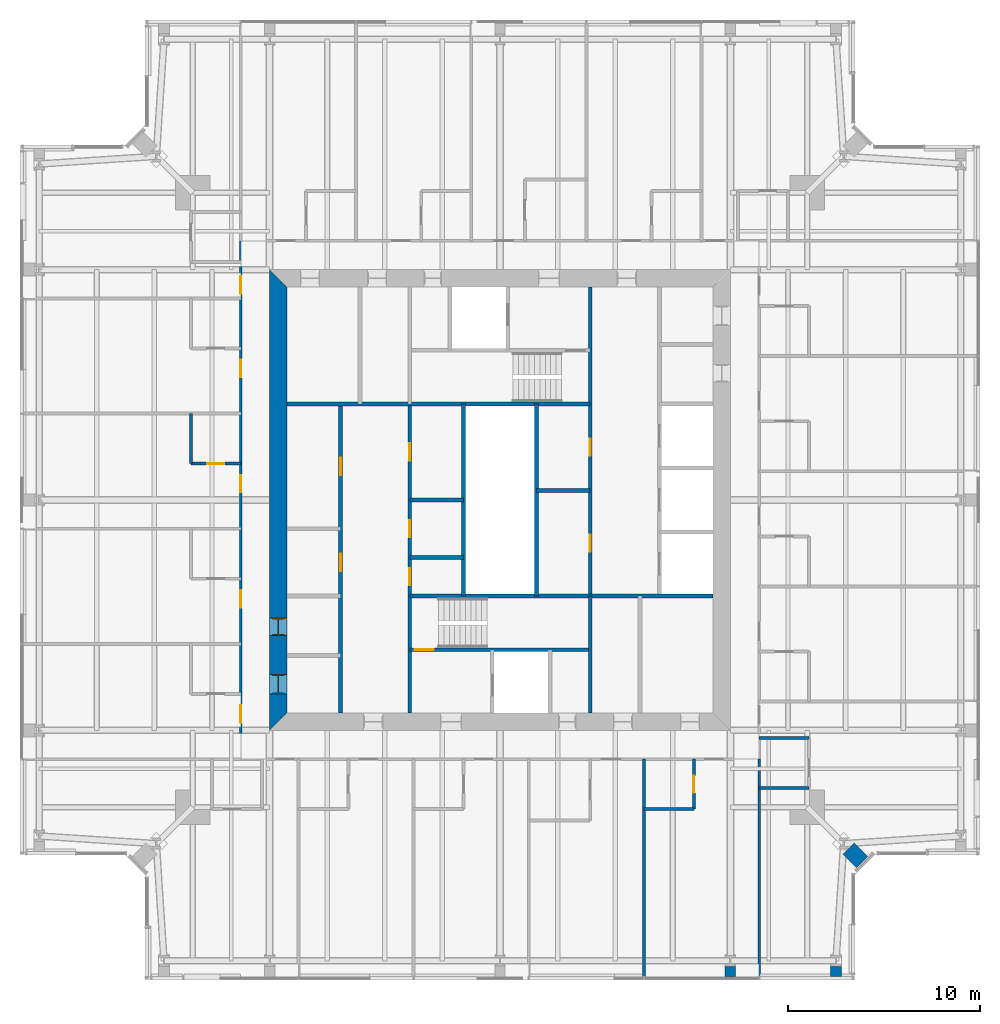
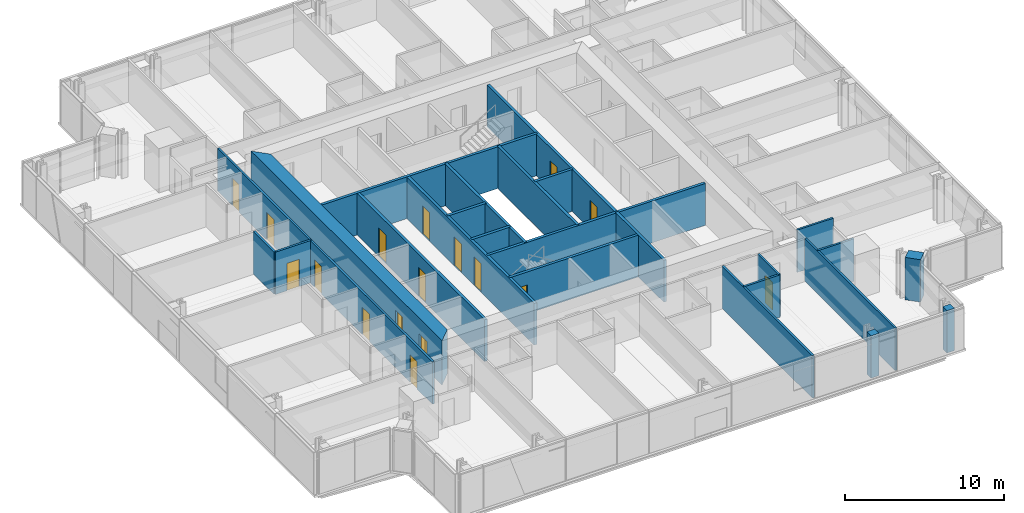
# One storey, part 12 of 20: 25 walls, 17 doors, 17 openings.
"""IFC4 building model written with IfcOpenShell, lengths in metres."""

from ifc_helpers import new_model, si_unit, direction, frame, frame_2d, origin, place, context, subcontext, project, spatial, polyline, rectangle, outline, extrude, material, layer, layer_set, type_object, element, fill, save


model = new_model("IFC4")

# Units and contexts
model_context = context("Model", 3, precision=1e-05, world=origin(), true_north=direction((0.0, 1.0)))
body_context = subcontext(model_context, "Body", "Model", "MODEL_VIEW")
ifc_project = project(units=[si_unit("LENGTHUNIT", "METRE"), si_unit("AREAUNIT", "SQUARE_METRE"), si_unit("VOLUMEUNIT", "CUBIC_METRE"), si_unit("PLANEANGLEUNIT", "RADIAN"), si_unit("MASSUNIT", "GRAM", prefix="KILO")], contexts=[model_context])

# Site, building, storey
site_placement = place(None, origin())
site = spatial("IfcSite", under=ifc_project, at=site_placement, CompositionType="ELEMENT")
building_placement = place(site_placement, origin())
building = spatial("IfcBuilding", under=site, at=building_placement, Name="Fenwick Lantern Interchange", CompositionType="ELEMENT")
storey_placement = place(building_placement, frame((0.0, 0.0, 249.199951171875)))
storey = spatial("IfcBuildingStorey", under=building, at=storey_placement, Name="L58", CompositionType="ELEMENT", Elevation=249.199951171875)

# Walls
ifc_material_1 = material(Name="Fire-rated gypsum board encasement on steel studs, 2 hour", Category="steel")
ifc_layer_1 = layer(ifc_material_1, 0.554931640625)
ifc_layer_set_1 = layer_set([ifc_layer_1], Name="COLUMN PIER 555")
wall_type_1 = type_object("IfcWallType", Name="COLUMN PIER 555", PredefinedType="PARTITIONING", material=ifc_layer_set_1)
for number, where, z_axis, x_axis, name in (
    (1, (37.0, 0.18994140625, 0.0), (0.0, 0.0, 1.0), (0.0, 1.0, 0.0), "L58/W/PIER/CS4"),
    (2, (42.5, 0.18994140625, 0.0), (0.0, 0.0, 1.0), (0.0, 1.0, 0.0), "L58/W/PIER/CS5"),
):
    element("IfcWall", number, at=place(storey_placement, frame(where, z_axis=z_axis, x_axis=x_axis)), inside=storey, type_object=wall_type_1, Name=name, PredefinedType="PARTITIONING", context=body_context, shape_type="SweptSolid", body=[
        extrude(rectangle(XDim=0.525634765625, YDim=0.554931640625, at=frame_2d((0.2626953125, 0.0))), origin(), (0.0, 0.0, 1.0), 3.25),
    ])
ifc_layer_2 = layer(ifc_material_1, 0.823974609375)
ifc_layer_set_2 = layer_set([ifc_layer_2], Name="COLUMN PIER 824")
wall_type_2 = type_object("IfcWallType", Name="COLUMN PIER 824", PredefinedType="PARTITIONING", material=ifc_layer_set_2)
wall_1_placement = place(storey_placement, frame((43.86572265625, 6.13427734375, 0.0), z_axis=(0.0, 0.0, 1.0), x_axis=(-0.707106781187, 0.707106781187, 0.0)))
element("IfcWall", 3, at=wall_1_placement, inside=storey, type_object=wall_type_2, Name="L58/W/PIER/CSR", PredefinedType="PARTITIONING", context=body_context, shape_type="SweptSolid", body=[
    extrude(rectangle(XDim=1.003662109375, YDim=0.823974609375, at=frame_2d((0.501953125, 0.0))), origin(), (0.0, 0.0, 1.0), 3.25),
])

# Wall, openings, doors
ifc_material_2 = material(Name="Concrete masonry ASTM C90 Grade N", Category="masonry")
ifc_layer_3 = layer(ifc_material_2, 0.199951171875)
ifc_layer_set_3 = layer_set([ifc_layer_3], Name="Concrete masonry ASTM C90 Grade N")
wall_type_3 = type_object("IfcWallType", Name="CORE PARTITION 200", PredefinedType="PARTITIONING", material=ifc_layer_set_3)
wall_2_placement = place(storey_placement, frame((16.699951171875, 13.89990234375, 0.0), z_axis=(0.0, 0.0, 1.0), x_axis=(0.0, 1.0, 0.0)))
wall_2 = element("IfcWall", 4, at=wall_2_placement, inside=storey, type_object=wall_type_3, Name="L58/W/CORES/a", PredefinedType="PARTITIONING", context=body_context, shape_type="SweptSolid", body=[
    extrude(rectangle(XDim=16.10009765625, YDim=0.199951171875, at=frame_2d((8.050048828125, 0.0))), origin(), (0.0, 0.0, 1.0), 3.199951171875),
])
opening_1_placement = place(wall_2_placement, frame((7.39990234375, 0.0, 0.0)))
opening_1 = element("IfcOpeningElement", 5, at=opening_1_placement, cuts=wall_2, Name="Opening L58-D009", PredefinedType="OPENING", context=body_context, shape_type="SweptSolid", body=[
    extrude(rectangle(XDim=0.89990234375, YDim=2.199951171875, at=frame_2d((0.449951171875, 1.10009765625))), frame((0.0, 0.10986328125, 0.0), z_axis=(0.0, -1.0, 0.0), x_axis=(1.0, 0.0, 0.0)), (0.0, 0.0, 1.0), 0.219970703125),
])
opening_2_placement = place(wall_2_placement, frame((12.39990234375, 0.0, 0.0)))
opening_2 = element("IfcOpeningElement", 6, at=opening_2_placement, cuts=wall_2, Name="Opening L58-D010", PredefinedType="OPENING", context=body_context, shape_type="SweptSolid", body=[
    extrude(rectangle(XDim=0.89990234375, YDim=2.199951171875, at=frame_2d((0.449951171875, 1.10009765625))), frame((0.0, 0.10986328125, 0.0), z_axis=(0.0, -1.0, 0.0), x_axis=(1.0, 0.0, 0.0)), (0.0, 0.0, 1.0), 0.219970703125),
])
ifc_material_3 = material(Name="Steel door and frame", Category="steel")
door_type_1 = type_object("IfcDoorType", Name="SERVICE DOOR 900 X 2200", OperationType="SINGLE_SWING_LEFT", PredefinedType="DOOR", material=ifc_material_3)
door_1_placement = place(opening_1_placement, origin())
door_1 = element("IfcDoor", 7, at=door_1_placement, inside=storey, type_object=door_type_1, Name="Service door", OperationType="SINGLE_SWING_LEFT", OverallHeight=2.199951171875, OverallWidth=0.89990234375, PredefinedType="DOOR", context=body_context, shape_type="SweptSolid", body=[
    extrude(rectangle(XDim=0.89990234375, YDim=2.199951171875, at=frame_2d((0.449951171875, 1.10009765625))), frame((0.0, 0.02490234375, 0.0), z_axis=(0.0, -1.0, 0.0), x_axis=(1.0, 0.0, 0.0)), (0.0, 0.0, 1.0), 0.050048828125),
])
fill(opening_1, door_1)
door_2_placement = place(opening_2_placement, origin())
door_2 = element("IfcDoor", 8, at=door_2_placement, inside=storey, type_object=door_type_1, Name="Service door", OperationType="SINGLE_SWING_LEFT", OverallHeight=2.199951171875, OverallWidth=0.89990234375, PredefinedType="DOOR", context=body_context, shape_type="SweptSolid", body=[
    extrude(rectangle(XDim=0.89990234375, YDim=2.199951171875, at=frame_2d((0.449951171875, 1.10009765625))), frame((0.0, 0.02490234375, 0.0), z_axis=(0.0, -1.0, 0.0), x_axis=(1.0, 0.0, 0.0)), (0.0, 0.0, 1.0), 0.050048828125),
])
fill(opening_2, door_2)

# Walls
wall_3_placement = place(storey_placement, frame((23.10009765625, 20.0, 0.0), z_axis=(0.0, 0.0, 1.0), x_axis=(0.0, 1.0, 0.0)))
element("IfcWall", 9, at=wall_3_placement, inside=storey, type_object=wall_type_3, Name="L58/W/CORES/e3", PredefinedType="PARTITIONING", context=body_context, shape_type="SweptSolid", body=[
    extrude(rectangle(XDim=10.0, YDim=0.199951171875, at=frame_2d((5.0, 0.0))), origin(), (0.0, 0.0, 1.0), 3.199951171875),
])
for number, where, z_axis, x_axis, name in (
    (10, (20.300048828125, 22.0, 0.0), (0.0, 0.0, 1.0), (1.0, 0.0, 0.0), "L58/W/CORES/q1"),
    (11, (20.300048828125, 25.0, 0.0), (0.0, 0.0, 1.0), (1.0, 0.0, 0.0), "L58/W/CORES/q2"),
):
    element("IfcWall", number, at=place(storey_placement, frame(where, z_axis=z_axis, x_axis=x_axis)), inside=storey, type_object=wall_type_3, Name=name, PredefinedType="PARTITIONING", context=body_context, shape_type="SweptSolid", body=[
        extrude(rectangle(XDim=2.800048828125, YDim=0.199951171875, at=frame_2d((1.39990234375, 0.0))), origin(), (0.0, 0.0, 1.0), 3.199951171875),
    ])
wall_4_placement = place(storey_placement, frame((26.89990234375, 30.0, 0.0), z_axis=(0.0, 0.0, 1.0), x_axis=(0.0, -1.0, 0.0)))
element("IfcWall", 12, at=wall_4_placement, inside=storey, type_object=wall_type_3, Name="L58/W/COREN/e3", PredefinedType="PARTITIONING", context=body_context, shape_type="SweptSolid", body=[
    extrude(rectangle(XDim=10.0, YDim=0.199951171875, at=frame_2d((5.0, 0.0))), origin(), (0.0, 0.0, 1.0), 3.199951171875),
])
wall_5_placement = place(storey_placement, frame((29.699951171875, 25.5, 0.0), z_axis=(0.0, 0.0, 1.0), x_axis=(-1.0, 0.0, 0.0)))
element("IfcWall", 13, at=wall_5_placement, inside=storey, type_object=wall_type_3, Name="L58/W/COREN/q1", PredefinedType="PARTITIONING", context=body_context, shape_type="SweptSolid", body=[
    extrude(rectangle(XDim=2.800048828125, YDim=0.199951171875, at=frame_2d((1.39990234375, 0.0))), origin(), (0.0, 0.0, 1.0), 3.199951171875),
])

# Wall, openings, doors
ifc_material_4 = material(Name="Concrete f'c 70 MPa", Category="concrete")
ifc_layer_4 = layer(ifc_material_4, 0.89990234375)
ifc_layer_set_4 = layer_set([ifc_layer_4], Name="CORE WALL 900")
wall_type_4 = type_object("IfcWallType", Name="CORE WALL 900", PredefinedType="SHEAR", material=ifc_layer_set_4)
wall_6_placement = place(storey_placement, frame((13.449951171875, 36.10009765625, 0.0), z_axis=(0.0, 0.0, 1.0), x_axis=(0.0, -1.0, 0.0)))
wall_6 = element("IfcWall", 14, at=wall_6_placement, inside=storey, type_object=wall_type_4, Name="L58/CORE/W", PredefinedType="SHEAR", context=body_context, shape_type="SweptSolid", body=[
    extrude(outline(polyline([(-0.89990234375, -0.449951171875), (23.10009765625, -0.449951171875), (22.199951171875, 0.449951171875), (0.0, 0.449951171875), (-0.89990234375, -0.449951171875)])), origin(), (0.0, 0.0, 1.0), 3.400146484375),
])
opening_3_placement = place(wall_6_placement, frame((20.199951171875, 0.0, 0.0)))
opening_3 = element("IfcOpeningElement", 15, at=opening_3_placement, cuts=wall_6, Name="Opening L58-D007", PredefinedType="OPENING", context=body_context, shape_type="SweptSolid", body=[
    extrude(rectangle(XDim=1.0, YDim=2.199951171875, at=frame_2d((0.5, 1.10009765625))), frame((0.0, 0.4599609375, 0.0), z_axis=(0.0, -1.0, 0.0), x_axis=(1.0, 0.0, 0.0)), (0.0, 0.0, 1.0), 0.919921875),
])
opening_4_placement = place(wall_6_placement, frame((17.25, 0.0, 0.0)))
opening_4 = element("IfcOpeningElement", 16, at=opening_4_placement, cuts=wall_6, Name="Opening L58-D008", PredefinedType="OPENING", context=body_context, shape_type="SweptSolid", body=[
    extrude(rectangle(XDim=0.89990234375, YDim=2.199951171875, at=frame_2d((0.449951171875, 1.10009765625))), frame((0.0, 0.4599609375, 0.0), z_axis=(0.0, -1.0, 0.0), x_axis=(1.0, 0.0, 0.0)), (0.0, 0.0, 1.0), 0.919921875),
])
door_3_placement = place(opening_4_placement, origin())
door_3 = element("IfcDoor", 17, at=door_3_placement, inside=storey, type_object=door_type_1, Name="Service door", OperationType="SINGLE_SWING_RIGHT", OverallHeight=2.199951171875, OverallWidth=0.89990234375, PredefinedType="DOOR", context=body_context, shape_type="SweptSolid", body=[
    extrude(rectangle(XDim=0.89990234375, YDim=2.199951171875, at=frame_2d((0.449951171875, 1.10009765625))), frame((0.0, 0.02490234375, 0.0), z_axis=(0.0, -1.0, 0.0), x_axis=(1.0, 0.0, 0.0)), (0.0, 0.0, 1.0), 0.050048828125),
    extrude(outline(polyline([(0.0, 0.0), (0.0400390625, 0.0), (0.0400390625, 2.159912109375), (0.85986328125, 2.159912109375), (0.85986328125, 0.0), (0.89990234375, 0.0), (0.89990234375, 2.199951171875), (0.0, 2.199951171875), (0.0, 0.0)])), frame((0.0, 0.300048828125, 0.0), z_axis=(0.0, -1.0, 0.0), x_axis=(1.0, 0.0, 0.0)), (0.0, 0.0, 1.0), 0.60009765625),
])
fill(opening_4, door_3)
ifc_material_5 = material(Name="Hardwood door and steel frame", Category="steel")
door_type_2 = type_object("IfcDoorType", Name="WC DOOR 1000 X 2200", OperationType="SINGLE_SWING_LEFT", PredefinedType="DOOR", material=ifc_material_5)
door_4_placement = place(opening_3_placement, origin())
door_4 = element("IfcDoor", 18, at=door_4_placement, inside=storey, type_object=door_type_2, Name="Wc door", OperationType="SINGLE_SWING_LEFT", OverallHeight=2.199951171875, OverallWidth=1.0, PredefinedType="DOOR", context=body_context, shape_type="SweptSolid", body=[
    extrude(rectangle(XDim=1.0, YDim=2.199951171875, at=frame_2d((0.5, 1.10009765625))), frame((0.0, 0.02490234375, 0.0), z_axis=(0.0, -1.0, 0.0), x_axis=(1.0, 0.0, 0.0)), (0.0, 0.0, 1.0), 0.050048828125),
    extrude(outline(polyline([(0.0, 0.0), (0.0400390625, 0.0), (0.0400390625, 2.159912109375), (0.9599609375, 2.159912109375), (0.9599609375, 0.0), (1.0, 0.0), (1.0, 2.199951171875), (0.0, 2.199951171875), (0.0, 0.0)])), frame((0.0, 0.300048828125, 0.0), z_axis=(0.0, -1.0, 0.0), x_axis=(1.0, 0.0, 0.0)), (0.0, 0.0, 1.0), 0.60009765625),
])
fill(opening_3, door_4)

ifc_material_6 = material(Name="Gypsum board on steel studs, 1 hour", Category="steel")
ifc_layer_5 = layer(ifc_material_6, 0.14990234375)
ifc_layer_set_5 = layer_set([ifc_layer_5], Name="CORRIDOR WALL 150")
wall_type_5 = type_object("IfcWallType", Name="CORRIDOR WALL 150", PredefinedType="PARTITIONING", material=ifc_layer_set_5)
wall_7_placement = place(storey_placement, frame((11.5, 38.5, 0.0), z_axis=(0.0, 0.0, 1.0), x_axis=(0.0, -1.0, 0.0)))
wall_7 = element("IfcWall", 19, at=wall_7_placement, inside=storey, type_object=wall_type_5, Name="L58/W/HOTEL/W/CW", PredefinedType="PARTITIONING", context=body_context, shape_type="SweptSolid", body=[
    extrude(rectangle(XDim=27.0, YDim=0.14990234375, at=frame_2d((13.5, 0.0))), origin(), (0.0, 0.0, 1.0), 3.25),
])
opening_5_placement = place(wall_7_placement, frame((1.85009765625, 0.0, 0.0)))
opening_5 = element("IfcOpeningElement", 20, at=opening_5_placement, cuts=wall_7, Name="Opening L58-D054", PredefinedType="OPENING", context=body_context, shape_type="SweptSolid", body=[
    extrude(rectangle(XDim=0.89990234375, YDim=2.10009765625, at=frame_2d((0.449951171875, 1.050048828125))), frame((0.0, 0.0849609375, 0.0), z_axis=(0.0, -1.0, 0.0), x_axis=(1.0, 0.0, 0.0)), (0.0, 0.0, 1.0), 0.169921875),
])
opening_6_placement = place(wall_7_placement, frame((6.199951171875, 0.0, 0.0)))
opening_6 = element("IfcOpeningElement", 21, at=opening_6_placement, cuts=wall_7, Name="Opening L58-D057", PredefinedType="OPENING", context=body_context, shape_type="SweptSolid", body=[
    extrude(rectangle(XDim=0.89990234375, YDim=2.10009765625, at=frame_2d((0.449951171875, 1.050048828125))), frame((0.0, 0.0849609375, 0.0), z_axis=(0.0, -1.0, 0.0), x_axis=(1.0, 0.0, 0.0)), (0.0, 0.0, 1.0), 0.169921875),
])
opening_7_placement = place(wall_7_placement, frame((12.199951171875, 0.0, 0.0)))
opening_7 = element("IfcOpeningElement", 22, at=opening_7_placement, cuts=wall_7, Name="Opening L58-D059", PredefinedType="OPENING", context=body_context, shape_type="SweptSolid", body=[
    extrude(rectangle(XDim=0.89990234375, YDim=2.10009765625, at=frame_2d((0.449951171875, 1.050048828125))), frame((0.0, 0.0849609375, 0.0), z_axis=(0.0, -1.0, 0.0), x_axis=(1.0, 0.0, 0.0)), (0.0, 0.0, 1.0), 0.169921875),
])
opening_8_placement = place(wall_7_placement, frame((18.199951171875, 0.0, 0.0)))
opening_8 = element("IfcOpeningElement", 23, at=opening_8_placement, cuts=wall_7, Name="Opening L58-D061", PredefinedType="OPENING", context=body_context, shape_type="SweptSolid", body=[
    extrude(rectangle(XDim=0.89990234375, YDim=2.10009765625, at=frame_2d((0.449951171875, 1.050048828125))), frame((0.0, 0.0849609375, 0.0), z_axis=(0.0, -1.0, 0.0), x_axis=(1.0, 0.0, 0.0)), (0.0, 0.0, 1.0), 0.169921875),
])
opening_9_placement = place(wall_7_placement, frame((24.199951171875, 0.0, 0.0)))
opening_9 = element("IfcOpeningElement", 24, at=opening_9_placement, cuts=wall_7, Name="Opening L58-D063", PredefinedType="OPENING", context=body_context, shape_type="SweptSolid", body=[
    extrude(rectangle(XDim=0.89990234375, YDim=2.10009765625, at=frame_2d((0.449951171875, 1.050048828125))), frame((0.0, 0.0849609375, 0.0), z_axis=(0.0, -1.0, 0.0), x_axis=(1.0, 0.0, 0.0)), (0.0, 0.0, 1.0), 0.169921875),
])
door_type_3 = type_object("IfcDoorType", Name="GUEST ROOM DOOR 900 X 2100", OperationType="SINGLE_SWING_LEFT", PredefinedType="DOOR", material=ifc_material_3)
door_5_placement = place(opening_5_placement, frame((0.89990234375, 0.0, 0.0), z_axis=(0.0, 0.0, 1.0), x_axis=(-1.0, 0.0, 0.0)))
door_5 = element("IfcDoor", 25, at=door_5_placement, inside=storey, type_object=door_type_3, Name="Guest room door", OperationType="SINGLE_SWING_LEFT", OverallHeight=2.10009765625, OverallWidth=0.89990234375, PredefinedType="DOOR", context=body_context, shape_type="SweptSolid", body=[
    extrude(rectangle(XDim=0.89990234375, YDim=2.10009765625, at=frame_2d((0.449951171875, 1.050048828125))), frame((0.0, 0.02490234375, 0.0), z_axis=(0.0, -1.0, 0.0), x_axis=(1.0, 0.0, 0.0)), (0.0, 0.0, 1.0), 0.050048828125),
])
fill(opening_5, door_5)
door_6_placement = place(opening_6_placement, frame((0.89990234375, 0.0, 0.0), z_axis=(0.0, 0.0, 1.0), x_axis=(-1.0, 0.0, 0.0)))
door_6 = element("IfcDoor", 26, at=door_6_placement, inside=storey, type_object=door_type_3, Name="Guest room door", OperationType="SINGLE_SWING_RIGHT", OverallHeight=2.10009765625, OverallWidth=0.89990234375, PredefinedType="DOOR", context=body_context, shape_type="SweptSolid", body=[
    extrude(rectangle(XDim=0.89990234375, YDim=2.10009765625, at=frame_2d((0.449951171875, 1.050048828125))), frame((0.0, 0.02490234375, 0.0), z_axis=(0.0, -1.0, 0.0), x_axis=(1.0, 0.0, 0.0)), (0.0, 0.0, 1.0), 0.050048828125),
])
fill(opening_6, door_6)
door_7_placement = place(opening_7_placement, frame((0.89990234375, 0.0, 0.0), z_axis=(0.0, 0.0, 1.0), x_axis=(-1.0, 0.0, 0.0)))
door_7 = element("IfcDoor", 27, at=door_7_placement, inside=storey, type_object=door_type_3, Name="Guest room door", OperationType="SINGLE_SWING_RIGHT", OverallHeight=2.10009765625, OverallWidth=0.89990234375, PredefinedType="DOOR", context=body_context, shape_type="SweptSolid", body=[
    extrude(rectangle(XDim=0.89990234375, YDim=2.10009765625, at=frame_2d((0.449951171875, 1.050048828125))), frame((0.0, 0.02490234375, 0.0), z_axis=(0.0, -1.0, 0.0), x_axis=(1.0, 0.0, 0.0)), (0.0, 0.0, 1.0), 0.050048828125),
])
fill(opening_7, door_7)
door_8_placement = place(opening_8_placement, frame((0.89990234375, 0.0, 0.0), z_axis=(0.0, 0.0, 1.0), x_axis=(-1.0, 0.0, 0.0)))
door_8 = element("IfcDoor", 28, at=door_8_placement, inside=storey, type_object=door_type_3, Name="Guest room door", OperationType="SINGLE_SWING_RIGHT", OverallHeight=2.10009765625, OverallWidth=0.89990234375, PredefinedType="DOOR", context=body_context, shape_type="SweptSolid", body=[
    extrude(rectangle(XDim=0.89990234375, YDim=2.10009765625, at=frame_2d((0.449951171875, 1.050048828125))), frame((0.0, 0.02490234375, 0.0), z_axis=(0.0, -1.0, 0.0), x_axis=(1.0, 0.0, 0.0)), (0.0, 0.0, 1.0), 0.050048828125),
])
fill(opening_8, door_8)
door_9_placement = place(opening_9_placement, frame((0.89990234375, 0.0, 0.0), z_axis=(0.0, 0.0, 1.0), x_axis=(-1.0, 0.0, 0.0)))
door_9 = element("IfcDoor", 29, at=door_9_placement, inside=storey, type_object=door_type_3, Name="Guest room door", OperationType="SINGLE_SWING_RIGHT", OverallHeight=2.10009765625, OverallWidth=0.89990234375, PredefinedType="DOOR", context=body_context, shape_type="SweptSolid", body=[
    extrude(rectangle(XDim=0.89990234375, YDim=2.10009765625, at=frame_2d((0.449951171875, 1.050048828125))), frame((0.0, 0.02490234375, 0.0), z_axis=(0.0, -1.0, 0.0), x_axis=(1.0, 0.0, 0.0)), (0.0, 0.0, 1.0), 0.050048828125),
])
fill(opening_9, door_9)

# Wall
ifc_material_7 = material(Name="Gypsum board on steel studs, moisture resistant", Category="steel")
ifc_layer_6 = layer(ifc_material_7, 0.14990234375)
ifc_layer_set_6 = layer_set([ifc_layer_6], Name="EN-SUITE WALL 150")
wall_type_6 = type_object("IfcWallType", Name="EN-SUITE WALL 150", PredefinedType="PARTITIONING", material=ifc_layer_set_6)
wall_8_placement = place(storey_placement, frame((32.5, 8.89990234375, 0.0), z_axis=(0.0, 0.0, 1.0), x_axis=(1.0, 0.0, 0.0)))
element("IfcWall", 30, at=wall_8_placement, inside=storey, type_object=wall_type_6, Name="L58/W/HOTEL/S/U5BW", PredefinedType="PARTITIONING", context=body_context, shape_type="SweptSolid", body=[
    extrude(rectangle(XDim=2.60009765625, YDim=0.14990234375, at=frame_2d((1.300048828125, 0.0))), origin(), (0.0, 0.0, 1.0), 3.25),
])

# Wall, opening, door
wall_9_placement = place(storey_placement, frame((35.10009765625, 8.89990234375, 0.0), z_axis=(0.0, 0.0, 1.0), x_axis=(0.0, 1.0, 0.0)))
wall_9 = element("IfcWall", 31, at=wall_9_placement, inside=storey, type_object=wall_type_6, Name="L58/W/HOTEL/S/U5BX", PredefinedType="PARTITIONING", context=body_context, shape_type="SweptSolid", body=[
    extrude(rectangle(XDim=2.60009765625, YDim=0.14990234375, at=frame_2d((1.300048828125, 0.0))), origin(), (0.0, 0.0, 1.0), 3.25),
])
opening_10_placement = place(wall_9_placement, frame((0.85009765625, 0.0, 0.0)))
opening_10 = element("IfcOpeningElement", 32, at=opening_10_placement, cuts=wall_9, Name="Opening L58-D032", PredefinedType="OPENING", context=body_context, shape_type="SweptSolid", body=[
    extrude(rectangle(XDim=0.89990234375, YDim=2.10009765625, at=frame_2d((0.449951171875, 1.050048828125))), frame((0.0, 0.0849609375, 0.0), z_axis=(0.0, -1.0, 0.0), x_axis=(1.0, 0.0, 0.0)), (0.0, 0.0, 1.0), 0.169921875),
])
door_type_4 = type_object("IfcDoorType", Name="EN-SUITE DOOR 900 X 2100", OperationType="SINGLE_SWING_LEFT", PredefinedType="DOOR", material=ifc_material_5)
door_10_placement = place(opening_10_placement, origin())
door_10 = element("IfcDoor", 33, at=door_10_placement, inside=storey, type_object=door_type_4, Name="En-suite door", OperationType="SINGLE_SWING_LEFT", OverallHeight=2.10009765625, OverallWidth=0.89990234375, PredefinedType="DOOR", context=body_context, shape_type="SweptSolid", body=[
    extrude(rectangle(XDim=0.89990234375, YDim=2.10009765625, at=frame_2d((0.449951171875, 1.050048828125))), frame((0.0, 0.02490234375, 0.0), z_axis=(0.0, -1.0, 0.0), x_axis=(1.0, 0.0, 0.0)), (0.0, 0.0, 1.0), 0.050048828125),
])
fill(opening_10, door_10)

# Walls
for number, where, z_axis, x_axis, name in (
    (34, (41.10009765625, 10.0, 0.0), (0.0, 0.0, 1.0), (-1.0, 0.0, 0.0), "L58/W/HOTEL/E/U1BX"),
    (35, (41.10009765625, 12.60009765625, 0.0), (0.0, 0.0, 1.0), (-1.0, 0.0, 0.0), "L58/W/HOTEL/E/U1BE"),
    (36, (8.89990234375, 29.5, 0.0), (0.0, 0.0, 1.0), (0.0, -1.0, 0.0), "L58/W/HOTEL/W/U3BW"),
):
    element("IfcWall", number, at=place(storey_placement, frame(where, z_axis=z_axis, x_axis=x_axis)), inside=storey, type_object=wall_type_6, Name=name, PredefinedType="PARTITIONING", context=body_context, shape_type="SweptSolid", body=[
        extrude(rectangle(XDim=2.60009765625, YDim=0.14990234375, at=frame_2d((1.300048828125, 0.0))), origin(), (0.0, 0.0, 1.0), 3.25),
    ])

# Wall, opening, door
wall_10_placement = place(storey_placement, frame((8.89990234375, 26.89990234375, 0.0), z_axis=(0.0, 0.0, 1.0), x_axis=(1.0, 0.0, 0.0)))
wall_10 = element("IfcWall", 37, at=wall_10_placement, inside=storey, type_object=wall_type_6, Name="L58/W/HOTEL/W/U3BX", PredefinedType="PARTITIONING", context=body_context, shape_type="SweptSolid", body=[
    extrude(rectangle(XDim=2.60009765625, YDim=0.14990234375, at=frame_2d((1.300048828125, 0.0))), origin(), (0.0, 0.0, 1.0), 3.25),
])
opening_11_placement = place(wall_10_placement, frame((0.85009765625, 0.0, 0.0)))
opening_11 = element("IfcOpeningElement", 38, at=opening_11_placement, cuts=wall_10, Name="Opening L58-D058", PredefinedType="OPENING", context=body_context, shape_type="SweptSolid", body=[
    extrude(rectangle(XDim=0.89990234375, YDim=2.10009765625, at=frame_2d((0.449951171875, 1.050048828125))), frame((0.0, 0.0849609375, 0.0), z_axis=(0.0, -1.0, 0.0), x_axis=(1.0, 0.0, 0.0)), (0.0, 0.0, 1.0), 0.169921875),
])
door_11_placement = place(opening_11_placement, origin())
door_11 = element("IfcDoor", 39, at=door_11_placement, inside=storey, type_object=door_type_4, Name="En-suite door", OperationType="SINGLE_SWING_LEFT", OverallHeight=2.10009765625, OverallWidth=0.89990234375, PredefinedType="DOOR", context=body_context, shape_type="SweptSolid", body=[
    extrude(rectangle(XDim=0.89990234375, YDim=2.10009765625, at=frame_2d((0.449951171875, 1.050048828125))), frame((0.0, 0.02490234375, 0.0), z_axis=(0.0, -1.0, 0.0), x_axis=(1.0, 0.0, 0.0)), (0.0, 0.0, 1.0), 0.050048828125),
])
fill(opening_11, door_11)

# Walls
ifc_material_8 = material(Name="Gypsum board on steel studs, 1 hour acoustic", Category="steel")
ifc_layer_7 = layer(ifc_material_8, 0.14990234375)
ifc_layer_set_7 = layer_set([ifc_layer_7], Name="PARTY WALL 150")
wall_type_7 = type_object("IfcWallType", Name="PARTY WALL 150", PredefinedType="PARTITIONING", material=ifc_layer_set_7)
for number, where, z_axis, x_axis, name in (
    (40, (32.5, 0.14990234375, 0.0), (0.0, 0.0, 1.0), (0.0, 1.0, 0.0), "L58/W/HOTEL/S/U5PW"),
    (41, (38.5, 0.14990234375, 0.0), (0.0, 0.0, 1.0), (0.0, 1.0, 0.0), "L58/W/HOTEL/E/SW3"),
):
    element("IfcWall", number, at=place(storey_placement, frame(where, z_axis=z_axis, x_axis=x_axis)), inside=storey, type_object=wall_type_7, Name=name, PredefinedType="PARTITIONING", context=body_context, shape_type="SweptSolid", body=[
        extrude(rectangle(XDim=11.35009765625, YDim=0.14990234375, at=frame_2d((5.675048828125, 0.0))), origin(), (0.0, 0.0, 1.0), 3.25),
    ])

# Wall, openings, doors
ifc_material_9 = material(Name="Concrete f'c 45 MPa", Category="concrete")
ifc_layer_8 = layer(ifc_material_9, 0.199951171875)
ifc_layer_set_8 = layer_set([ifc_layer_8], Name="STAIR CORE WALL 200")
wall_type_8 = type_object("IfcWallType", Name="STAIR CORE WALL 200", PredefinedType="SOLIDWALL", material=ifc_layer_set_8)
wall_11_placement = place(storey_placement, frame((20.300048828125, 13.89990234375, 0.0), z_axis=(0.0, 0.0, 1.0), x_axis=(0.0, 1.0, 0.0)))
wall_11 = element("IfcWall", 42, at=wall_11_placement, inside=storey, type_object=wall_type_8, Name="L58/W/CORES/b", PredefinedType="SOLIDWALL", context=body_context, shape_type="SweptSolid", body=[
    extrude(rectangle(XDim=16.10009765625, YDim=0.199951171875, at=frame_2d((8.050048828125, 0.0))), origin(), (0.0, 0.0, 1.0), 3.199951171875),
])
opening_12_placement = place(wall_11_placement, frame((6.64990234375, 0.0, 0.0)))
opening_12 = element("IfcOpeningElement", 43, at=opening_12_placement, cuts=wall_11, Name="Opening L58-D011", PredefinedType="OPENING", context=body_context, shape_type="SweptSolid", body=[
    extrude(rectangle(XDim=0.89990234375, YDim=2.199951171875, at=frame_2d((0.449951171875, 1.10009765625))), frame((0.0, 0.10986328125, 0.0), z_axis=(0.0, -1.0, 0.0), x_axis=(1.0, 0.0, 0.0)), (0.0, 0.0, 1.0), 0.219970703125),
])
opening_13_placement = place(wall_11_placement, frame((9.14990234375, 0.0, 0.0)))
opening_13 = element("IfcOpeningElement", 44, at=opening_13_placement, cuts=wall_11, Name="Opening L58-D012", PredefinedType="OPENING", context=body_context, shape_type="SweptSolid", body=[
    extrude(rectangle(XDim=0.89990234375, YDim=2.199951171875, at=frame_2d((0.449951171875, 1.10009765625))), frame((0.0, 0.10986328125, 0.0), z_axis=(0.0, -1.0, 0.0), x_axis=(1.0, 0.0, 0.0)), (0.0, 0.0, 1.0), 0.219970703125),
])
opening_14_placement = place(wall_11_placement, frame((13.14990234375, 0.0, 0.0)))
opening_14 = element("IfcOpeningElement", 45, at=opening_14_placement, cuts=wall_11, Name="Opening L58-D013", PredefinedType="OPENING", context=body_context, shape_type="SweptSolid", body=[
    extrude(rectangle(XDim=0.89990234375, YDim=2.199951171875, at=frame_2d((0.449951171875, 1.10009765625))), frame((0.0, 0.10986328125, 0.0), z_axis=(0.0, -1.0, 0.0), x_axis=(1.0, 0.0, 0.0)), (0.0, 0.0, 1.0), 0.219970703125),
])
door_12_placement = place(opening_12_placement, frame((0.89990234375, 0.0, 0.0), z_axis=(0.0, 0.0, 1.0), x_axis=(-1.0, 0.0, 0.0)))
door_12 = element("IfcDoor", 46, at=door_12_placement, inside=storey, type_object=door_type_1, Name="Service door", OperationType="SINGLE_SWING_RIGHT", OverallHeight=2.199951171875, OverallWidth=0.89990234375, PredefinedType="DOOR", context=body_context, shape_type="SweptSolid", body=[
    extrude(rectangle(XDim=0.89990234375, YDim=2.199951171875, at=frame_2d((0.449951171875, 1.10009765625))), frame((0.0, 0.02490234375, 0.0), z_axis=(0.0, -1.0, 0.0), x_axis=(1.0, 0.0, 0.0)), (0.0, 0.0, 1.0), 0.050048828125),
])
fill(opening_12, door_12)
door_13_placement = place(opening_13_placement, frame((0.89990234375, 0.0, 0.0), z_axis=(0.0, 0.0, 1.0), x_axis=(-1.0, 0.0, 0.0)))
door_13 = element("IfcDoor", 47, at=door_13_placement, inside=storey, type_object=door_type_1, Name="Service door", OperationType="SINGLE_SWING_RIGHT", OverallHeight=2.199951171875, OverallWidth=0.89990234375, PredefinedType="DOOR", context=body_context, shape_type="SweptSolid", body=[
    extrude(rectangle(XDim=0.89990234375, YDim=2.199951171875, at=frame_2d((0.449951171875, 1.10009765625))), frame((0.0, 0.02490234375, 0.0), z_axis=(0.0, -1.0, 0.0), x_axis=(1.0, 0.0, 0.0)), (0.0, 0.0, 1.0), 0.050048828125),
])
fill(opening_13, door_13)
door_14_placement = place(opening_14_placement, frame((0.89990234375, 0.0, 0.0), z_axis=(0.0, 0.0, 1.0), x_axis=(-1.0, 0.0, 0.0)))
door_14 = element("IfcDoor", 48, at=door_14_placement, inside=storey, type_object=door_type_1, Name="Service door", OperationType="SINGLE_SWING_RIGHT", OverallHeight=2.199951171875, OverallWidth=0.89990234375, PredefinedType="DOOR", context=body_context, shape_type="SweptSolid", body=[
    extrude(rectangle(XDim=0.89990234375, YDim=2.199951171875, at=frame_2d((0.449951171875, 1.10009765625))), frame((0.0, 0.02490234375, 0.0), z_axis=(0.0, -1.0, 0.0), x_axis=(1.0, 0.0, 0.0)), (0.0, 0.0, 1.0), 0.050048828125),
])
fill(opening_14, door_14)

# Wall, opening, door
wall_12_placement = place(storey_placement, frame((20.300048828125, 17.199951171875, 0.0), z_axis=(0.0, 0.0, 1.0), x_axis=(1.0, 0.0, 0.0)))
wall_12 = element("IfcWall", 49, at=wall_12_placement, inside=storey, type_object=wall_type_8, Name="L58/W/CORES/g1", PredefinedType="SOLIDWALL", context=body_context, shape_type="SweptSolid", body=[
    extrude(rectangle(XDim=9.39990234375, YDim=0.199951171875, at=frame_2d((4.699951171875, 0.0))), origin(), (0.0, 0.0, 1.0), 3.199951171875),
])
opening_15_placement = place(wall_12_placement, frame((0.25, 0.0, 0.0)))
opening_15 = element("IfcOpeningElement", 50, at=opening_15_placement, cuts=wall_12, Name="Opening L58-D003", PredefinedType="OPENING", context=body_context, shape_type="SweptSolid", body=[
    extrude(rectangle(XDim=1.0, YDim=2.199951171875, at=frame_2d((0.5, 1.10009765625))), frame((0.0, 0.10986328125, 0.0), z_axis=(0.0, -1.0, 0.0), x_axis=(1.0, 0.0, 0.0)), (0.0, 0.0, 1.0), 0.219970703125),
])
door_type_5 = type_object("IfcDoorType", Name="STAIR DOOR 1000 X 2200", OperationType="SINGLE_SWING_LEFT", PredefinedType="DOOR", material=ifc_material_3)
door_15_placement = place(opening_15_placement, origin())
door_15 = element("IfcDoor", 51, at=door_15_placement, inside=storey, type_object=door_type_5, Name="Stair door", OperationType="SINGLE_SWING_LEFT", OverallHeight=2.199951171875, OverallWidth=1.0, PredefinedType="DOOR", context=body_context, shape_type="SweptSolid", body=[
    extrude(rectangle(XDim=1.0, YDim=2.199951171875, at=frame_2d((0.5, 1.10009765625))), frame((0.0, 0.02490234375, 0.0), z_axis=(0.0, -1.0, 0.0), x_axis=(1.0, 0.0, 0.0)), (0.0, 0.0, 1.0), 0.050048828125),
])
fill(opening_15, door_15)

# Walls
wall_13_placement = place(storey_placement, frame((20.300048828125, 20.0, 0.0), z_axis=(0.0, 0.0, 1.0), x_axis=(1.0, 0.0, 0.0)))
element("IfcWall", 52, at=wall_13_placement, inside=storey, type_object=wall_type_8, Name="L58/W/CORES/g2", PredefinedType="SOLIDWALL", context=body_context, shape_type="SweptSolid", body=[
    extrude(rectangle(XDim=15.800048828125, YDim=0.199951171875, at=frame_2d((7.89990234375, 0.0))), origin(), (0.0, 0.0, 1.0), 3.199951171875),
])
wall_14_placement = place(storey_placement, frame((29.699951171875, 13.89990234375, 0.0), z_axis=(0.0, 0.0, 1.0), x_axis=(0.0, 1.0, 0.0)))
element("IfcWall", 53, at=wall_14_placement, inside=storey, type_object=wall_type_8, Name="L58/W/CORES/i1", PredefinedType="SOLIDWALL", context=body_context, shape_type="SweptSolid", body=[
    extrude(rectangle(XDim=6.10009765625, YDim=0.199951171875, at=frame_2d((3.050048828125, 0.0))), origin(), (0.0, 0.0, 1.0), 3.199951171875),
])

# Wall, openings, doors
wall_15_placement = place(storey_placement, frame((29.699951171875, 36.10009765625, 0.0), z_axis=(0.0, 0.0, 1.0), x_axis=(0.0, -1.0, 0.0)))
wall_15 = element("IfcWall", 54, at=wall_15_placement, inside=storey, type_object=wall_type_8, Name="L58/W/COREN/b", PredefinedType="SOLIDWALL", context=body_context, shape_type="SweptSolid", body=[
    extrude(rectangle(XDim=16.10009765625, YDim=0.199951171875, at=frame_2d((8.050048828125, 0.0))), origin(), (0.0, 0.0, 1.0), 3.199951171875),
])
opening_16_placement = place(wall_15_placement, frame((7.89990234375, 0.0, 0.0)))
opening_16 = element("IfcOpeningElement", 55, at=opening_16_placement, cuts=wall_15, Name="Opening L58-D022", PredefinedType="OPENING", context=body_context, shape_type="SweptSolid", body=[
    extrude(rectangle(XDim=0.89990234375, YDim=2.199951171875, at=frame_2d((0.449951171875, 1.10009765625))), frame((0.0, 0.10986328125, 0.0), z_axis=(0.0, -1.0, 0.0), x_axis=(1.0, 0.0, 0.0)), (0.0, 0.0, 1.0), 0.219970703125),
])
opening_17_placement = place(wall_15_placement, frame((12.89990234375, 0.0, 0.0)))
opening_17 = element("IfcOpeningElement", 56, at=opening_17_placement, cuts=wall_15, Name="Opening L58-D023", PredefinedType="OPENING", context=body_context, shape_type="SweptSolid", body=[
    extrude(rectangle(XDim=0.89990234375, YDim=2.199951171875, at=frame_2d((0.449951171875, 1.10009765625))), frame((0.0, 0.10986328125, 0.0), z_axis=(0.0, -1.0, 0.0), x_axis=(1.0, 0.0, 0.0)), (0.0, 0.0, 1.0), 0.219970703125),
])
door_16_placement = place(opening_16_placement, frame((0.89990234375, 0.0, 0.0), z_axis=(0.0, 0.0, 1.0), x_axis=(-1.0, 0.0, 0.0)))
door_16 = element("IfcDoor", 57, at=door_16_placement, inside=storey, type_object=door_type_1, Name="Service door", OperationType="SINGLE_SWING_RIGHT", OverallHeight=2.199951171875, OverallWidth=0.89990234375, PredefinedType="DOOR", context=body_context, shape_type="SweptSolid", body=[
    extrude(rectangle(XDim=0.89990234375, YDim=2.199951171875, at=frame_2d((0.449951171875, 1.10009765625))), frame((0.0, 0.02490234375, 0.0), z_axis=(0.0, -1.0, 0.0), x_axis=(1.0, 0.0, 0.0)), (0.0, 0.0, 1.0), 0.050048828125),
])
fill(opening_16, door_16)
door_17_placement = place(opening_17_placement, frame((0.89990234375, 0.0, 0.0), z_axis=(0.0, 0.0, 1.0), x_axis=(-1.0, 0.0, 0.0)))
door_17 = element("IfcDoor", 58, at=door_17_placement, inside=storey, type_object=door_type_1, Name="Service door", OperationType="SINGLE_SWING_RIGHT", OverallHeight=2.199951171875, OverallWidth=0.89990234375, PredefinedType="DOOR", context=body_context, shape_type="SweptSolid", body=[
    extrude(rectangle(XDim=0.89990234375, YDim=2.199951171875, at=frame_2d((0.449951171875, 1.10009765625))), frame((0.0, 0.02490234375, 0.0), z_axis=(0.0, -1.0, 0.0), x_axis=(1.0, 0.0, 0.0)), (0.0, 0.0, 1.0), 0.050048828125),
])
fill(opening_17, door_17)

# Wall
wall_16_placement = place(storey_placement, frame((29.699951171875, 30.0, 0.0), z_axis=(0.0, 0.0, 1.0), x_axis=(-1.0, 0.0, 0.0)))
element("IfcWall", 59, at=wall_16_placement, inside=storey, type_object=wall_type_8, Name="L58/W/COREN/g2", PredefinedType="SOLIDWALL", context=body_context, shape_type="SweptSolid", body=[
    extrude(rectangle(XDim=15.800048828125, YDim=0.199951171875, at=frame_2d((7.89990234375, 0.0))), origin(), (0.0, 0.0, 1.0), 3.199951171875),
])

save(model, "model.ifc")
